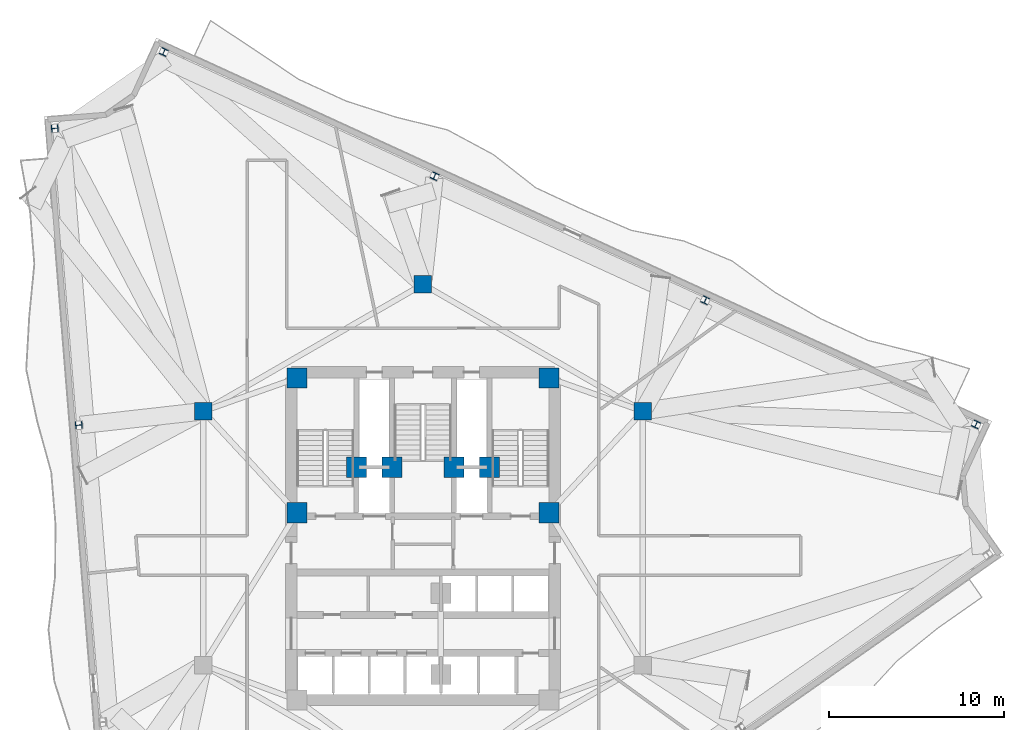
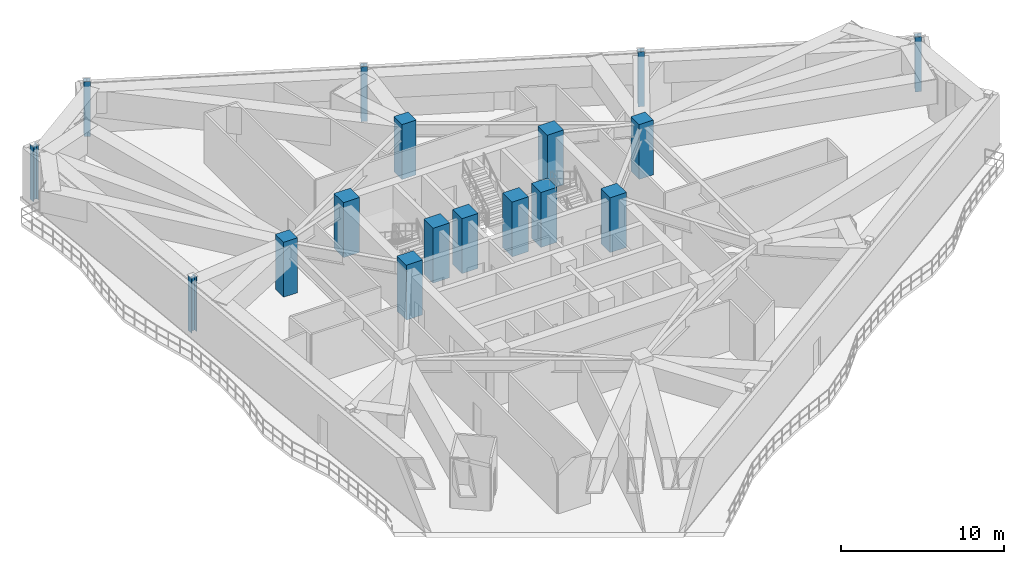
# One storey, part 2 of 14: 17 columns.
"""IFC4 building model written with IfcOpenShell, lengths in metres."""

import ifcopenshell
import ifcopenshell.guid

model = None  # the IFC model being written
_history = None  # IfcOwnerHistory: only IFC2X3 demands one
_inside = {}  # id of a spatial element -> (the spatial element, [elements in it])
_under = {}  # id of a project, library or spatial element -> (it, [spatial elements below it])
_declared = {}  # id of a project -> (the project, [libraries it declares])
_typed = {}  # id of a type object -> (the type object, [elements of that type])
_made_of = {}  # id of a material, layer set ... -> (it, [elements and type objects made of it])


def new_model(schema):
    """Start an empty IFC model of exactly this schema.

    Asked for "IFC4X3", IfcOpenShell would pick the latest addendum, in which some entities
    have other attributes; the version numbers below select the first issue.
    IFC2X3 requires an IfcOwnerHistory on every rooted entity: one is made here for all.
    """
    global model, _history
    if schema == "IFC4X3":
        model = ifcopenshell.file(schema_version=(4, 3, 0, 0))
    else:
        model = ifcopenshell.file(schema=schema)
    _inside.clear()
    _under.clear()
    _declared.clear()
    _typed.clear()
    _made_of.clear()
    _history = None
    if model.schema == "IFC2X3":
        org = make("IfcOrganization", Name="unknown")
        user = make(
            "IfcPersonAndOrganization",
            ThePerson=make("IfcPerson", FamilyName="unknown"),
            TheOrganization=org,
        )
        app = make(
            "IfcApplication",
            ApplicationDeveloper=org,
            Version="unknown",
            ApplicationFullName="unknown",
            ApplicationIdentifier="unknown",
        )
        _history = make(
            "IfcOwnerHistory",
            OwningUser=user,
            OwningApplication=app,
            ChangeAction="ADDED",
            CreationDate=0,
        )
    return model


def make(cls, **values):
    """One entity of the class cls with the attributes given. An attribute that is None is left unset."""
    return model.create_entity(
        cls, **{name: value for name, value in values.items() if value is not None}
    )


def rooted(cls, **values):
    """An entity with a GlobalId (a new one), such as an element, a storey or a relation."""
    return make(cls, GlobalId=ifcopenshell.guid.new(), OwnerHistory=_history, **values)


def si_unit(unit_type, name, prefix=None):
    """IfcSIUnit, for example si_unit("LENGTHUNIT", "METRE", prefix="MILLI")."""
    return make("IfcSIUnit", UnitType=unit_type, Prefix=prefix, Name=name)


def assignment(units):
    """IfcUnitAssignment: the units of a project."""
    return None if units is None else make("IfcUnitAssignment", Units=units)


def point(xyz):
    """IfcCartesianPoint."""
    return None if xyz is None else make("IfcCartesianPoint", Coordinates=xyz)


def direction(xyz):
    """IfcDirection."""
    return None if xyz is None else make("IfcDirection", DirectionRatios=xyz)


def frame(location, z_axis=None, x_axis=None):
    """IfcAxis2Placement3D, a coordinate frame: its origin and axes. An axis left out is left unset."""
    return make(
        "IfcAxis2Placement3D",
        Location=point(location),
        Axis=direction(z_axis),
        RefDirection=direction(x_axis),
    )


def frame_2d(location, x_axis=None):
    """IfcAxis2Placement2D, a coordinate frame in the plane: its origin and x axis."""
    return make(
        "IfcAxis2Placement2D", Location=point(location), RefDirection=direction(x_axis)
    )


def origin():
    """The frame at (0, 0, 0) with its axes left unset."""
    return frame((0.0, 0.0, 0.0))


def origin_2d():
    """The frame at (0, 0) in the plane with its x axis left unset."""
    return frame_2d((0.0, 0.0))


def place(relative_to, where):
    """IfcLocalPlacement: puts the frame where relative to a parent placement (None: the world)."""
    return make(
        "IfcLocalPlacement", PlacementRelTo=relative_to, RelativePlacement=where
    )


def context(
    kind, dimensions, precision=None, world=None, true_north=None, identifier=None
):
    """IfcGeometricRepresentationContext, for example the 3D "Model" context."""
    return make(
        "IfcGeometricRepresentationContext",
        ContextIdentifier=identifier,
        ContextType=kind,
        CoordinateSpaceDimension=dimensions,
        Precision=precision,
        WorldCoordinateSystem=world,
        TrueNorth=true_north,
    )


def subcontext(parent, identifier, kind, view, scale=None):
    """IfcGeometricRepresentationSubContext, for example "Body" below "Model"."""
    return make(
        "IfcGeometricRepresentationSubContext",
        ContextIdentifier=identifier,
        ContextType=kind,
        ParentContext=parent,
        TargetScale=scale,
        TargetView=view,
    )


def project(units=None, contexts=None):
    """IfcProject with its units and contexts."""
    return rooted(
        "IfcProject",
        Name="project",
        RepresentationContexts=contexts,
        UnitsInContext=assignment(units),
    )


def spatial(cls, under=None, at=None, **own):
    """A site, building, storey or space (cls), placed at a placement, below another one or the project."""
    s = rooted(cls, ObjectPlacement=at, **own)
    if under is not None:
        _under.setdefault(under.id(), (under, []))[1].append(s)
    return s


def profile(cls, at=None, kind="AREA", **sizes):
    """A parametric profile (cls). Its sizes go by their IFC names, for example OverallWidth=200.0."""
    return make(cls, ProfileType=kind, Position=at, **sizes)


def rectangle(**sizes):
    """IfcRectangleProfileDef."""
    return profile("IfcRectangleProfileDef", **sizes)


def i_section(**sizes):
    """IfcIShapeProfileDef."""
    return profile("IfcIShapeProfileDef", **sizes)


def extrude(swept, where, along, depth):
    """IfcExtrudedAreaSolid: the profile swept, set in the frame where, extruded along a direction by depth."""
    return make(
        "IfcExtrudedAreaSolid",
        SweptArea=swept,
        Position=where,
        ExtrudedDirection=direction(along),
        Depth=depth,
    )


def shape(context_of_items, identifier, shape_type, items):
    """IfcShapeRepresentation: the items that make up one representation, for example the "Body"."""
    return make(
        "IfcShapeRepresentation",
        ContextOfItems=context_of_items,
        RepresentationIdentifier=identifier,
        RepresentationType=shape_type,
        Items=items,
    )


def material(Name=None, Category=None):
    """IfcMaterial."""
    return make("IfcMaterial", Name=Name, Category=Category)


def material_profile(
    of_material, cross_section, Name=None, Category=None, Priority=None
):
    """IfcMaterialProfile: a cross section and its material."""
    return make(
        "IfcMaterialProfile",
        Name=Name,
        Material=of_material,
        Profile=cross_section,
        Priority=Priority,
        Category=Category,
    )


def profile_set(profiles, Name=None, composite=None):
    """IfcMaterialProfileSet."""
    return make(
        "IfcMaterialProfileSet",
        Name=Name,
        MaterialProfiles=profiles,
        CompositeProfile=composite,
    )


def made_of(thing, what):
    """Note that an element or type object is made of a material, layer set ...; save() writes the relation."""
    if what is not None:
        _made_of.setdefault(what.id(), (what, []))[1].append(thing)
    return thing


def type_object(cls, material=None, **own):
    """A type object (cls), such as IfcWallType, which elements share."""
    return made_of(rooted(cls, **own), material)


def element(
    cls,
    number,
    at=None,
    inside=None,
    cuts=None,
    type_object=None,
    material=None,
    context=None,
    identifier="Body",
    shape_type=None,
    held_by="IfcProductDefinitionShape",
    body=None,
    shapes=None,
    **own,
):
    """One element of the class cls, such as IfcWall. Its Tag is "e" and its number.

    at: its placement. inside: the storey or other place that contains it. cuts: it is an
    opening in that element (IfcRelVoidsElement). A single representation is given by context,
    identifier, shape_type and body (its items); several are given by shapes. held_by: the class
    of the entity that holds the representations. save() writes the other relations.
    """
    e = rooted(cls, Tag="e%d" % number, ObjectPlacement=at, **own)
    if body is not None:
        shapes = [shape(context, identifier, shape_type, body)]
    if shapes is not None:
        e.Representation = make(held_by, Representations=shapes)
    if inside is not None:
        _inside.setdefault(inside.id(), (inside, []))[1].append(e)
    if cuts is not None:
        rooted(
            "IfcRelVoidsElement", RelatingBuildingElement=cuts, RelatedOpeningElement=e
        )
    if type_object is not None:
        _typed.setdefault(type_object.id(), (type_object, []))[1].append(e)
    return made_of(e, material)


def aggregate(whole, parts):
    """IfcRelAggregates: a whole, such as a stair, and the parts it consists of."""
    return rooted("IfcRelAggregates", RelatingObject=whole, RelatedObjects=parts)


def save(model, path):
    """Write the relations noted so far, then the file.

    IfcRelAggregates (storeys below a building ...), IfcRelContainedInSpatialStructure (elements
    in a storey), IfcRelDefinesByType, IfcRelAssociatesMaterial and IfcRelDeclares: one each for
    every whole, place, type object, material and project.
    """
    for whole, parts in _under.values():
        aggregate(whole, parts)
    for where, things in _inside.values():
        rooted(
            "IfcRelContainedInSpatialStructure",
            RelatedElements=things,
            RelatingStructure=where,
        )
    for kind, things in _typed.values():
        rooted("IfcRelDefinesByType", RelatedObjects=things, RelatingType=kind)
    for what, things in _made_of.values():
        rooted("IfcRelAssociatesMaterial", RelatedObjects=things, RelatingMaterial=what)
    for by, libraries in _declared.values():
        rooted("IfcRelDeclares", RelatingContext=by, RelatedDefinitions=libraries)
    model.write(path)


model = new_model("IFC4")

# Units and contexts
model_context = context("Model", 3, precision=1e-05, world=origin(), true_north=direction((0.0, 1.0)))
body_context = subcontext(model_context, "Body", "Model", "MODEL_VIEW")
ifc_project = project(units=[si_unit("LENGTHUNIT", "METRE"), si_unit("AREAUNIT", "SQUARE_METRE"), si_unit("VOLUMEUNIT", "CUBIC_METRE"), si_unit("PLANEANGLEUNIT", "RADIAN"), si_unit("MASSUNIT", "GRAM", prefix="KILO")], contexts=[model_context])

# Site, building, storey
site_placement = place(None, origin())
site = spatial("IfcSite", under=ifc_project, at=site_placement, CompositionType="ELEMENT")
building_placement = place(site_placement, origin())
building = spatial("IfcBuilding", under=site, at=building_placement, Name="Apsidion Concourse Tower", CompositionType="ELEMENT")
storey_placement = place(building_placement, frame((0.0, 0.0, 222.89990234375)))
storey = spatial("IfcBuildingStorey", under=building, at=storey_placement, Name="L52", CompositionType="ELEMENT", Elevation=222.89990234375)

# Columns
ifc_material_1 = material(Name="Concrete C50/60", Category="concrete")
ifc_material_profile_1 = material_profile(ifc_material_1, rectangle(XDim=1.0, YDim=1.0, at=origin_2d()), Name="RC 1000x1000")
ifc_profile_set_1 = profile_set([ifc_material_profile_1], Name="Concrete C50/60")
column_type_1 = type_object("IfcColumnType", Name="COL-RC-1000", PredefinedType="COLUMN", material=ifc_profile_set_1)
for number, where, z_axis, x_axis, name in (
    (1, (12.56005859375, 7.25, 0.0), (0.0, 0.0, 1.0), (1.0, 0.0, 0.0), "L52 Interior Spine Column IC3"),
    (2, (0.0, 14.5, 0.0), (0.0, 0.0, 1.0), (1.0, 0.0, 0.0), "L52 Interior Spine Column IC4"),
    (3, (-12.56005859375, 7.25, 0.0), (0.0, 0.0, 1.0), (1.0, 0.0, 0.0), "L52 Interior Spine Column IC5"),
):
    element("IfcColumn", number, at=place(storey_placement, frame(where, z_axis=z_axis, x_axis=x_axis)), inside=storey, type_object=column_type_1, Name=name, PredefinedType="COLUMN", context=body_context, shape_type="SweptSolid", body=[
        extrude(rectangle(XDim=1.0, YDim=1.0, at=origin_2d()), origin(), (0.0, 0.0, 1.0), 4.10009765625),
    ])
ifc_material_profile_2 = material_profile(ifc_material_1, rectangle(XDim=1.14990234375, YDim=1.14990234375, at=origin_2d()), Name="RC 1150x1150")
ifc_profile_set_2 = profile_set([ifc_material_profile_2], Name="Concrete C50/60")
column_type_2 = type_object("IfcColumnType", Name="COL-RC-1150", PredefinedType="COLUMN", material=ifc_profile_set_2)
for number, where, z_axis, x_axis, name in (
    (4, (7.199951171875, 1.449951171875, 0.0), (0.0, 0.0, 1.0), (1.0, 0.0, 0.0), "L52 Core Super-Column SC3"),
    (5, (7.199951171875, 9.14990234375, 0.0), (0.0, 0.0, 1.0), (1.0, 0.0, 0.0), "L52 Core Super-Column SC4"),
    (6, (-7.199951171875, 9.14990234375, 0.0), (0.0, 0.0, 1.0), (1.0, 0.0, 0.0), "L52 Core Super-Column SC5"),
    (7, (-7.199951171875, 1.449951171875, 0.0), (0.0, 0.0, 1.0), (1.0, 0.0, 0.0), "L52 Core Super-Column SC6"),
    (8, (-3.800048828125, 4.050048828125, 0.0), (0.0, 0.0, 1.0), (1.0, 0.0, 0.0), "L52 Core Super-Column CC1"),
    (9, (3.800048828125, 4.050048828125, 0.0), (0.0, 0.0, 1.0), (1.0, 0.0, 0.0), "L52 Core Super-Column CC2"),
    (10, (-1.77490234375, 4.050048828125, 0.0), (0.0, 0.0, 1.0), (1.0, 0.0, 0.0), "L52 Core Super-Column CC3"),
    (11, (1.77490234375, 4.050048828125, 0.0), (0.0, 0.0, 1.0), (1.0, 0.0, 0.0), "L52 Core Super-Column CC4"),
):
    element("IfcColumn", number, at=place(storey_placement, frame(where, z_axis=z_axis, x_axis=x_axis)), inside=storey, type_object=column_type_2, Name=name, PredefinedType="COLUMN", context=body_context, shape_type="SweptSolid", body=[
        extrude(rectangle(XDim=1.14990234375, YDim=1.14990234375, at=origin_2d()), origin(), (0.0, 0.0, 1.0), 4.10009765625),
    ])
ifc_material_2 = material(Name="Structural steel ASTM A992 Grade 50", Category="steel")
ifc_material_profile_3 = material_profile(ifc_material_2, i_section(OverallWidth=0.39892578125, OverallDepth=0.385986328125, WebThickness=0.02099609375, FlangeThickness=0.033203125, at=origin_2d()), Name="W14X176")
ifc_profile_set_3 = profile_set([ifc_material_profile_3], Name="Structural steel ASTM A992 Grade 50")
column_type_3 = type_object("IfcColumnType", Name="COL-W14-176", PredefinedType="COLUMN", material=ifc_profile_set_3)
for number, where, z_axis, x_axis, name in (
    (12, (-21.03759765625, 23.412841796875, 0.0), (0.0, 0.0, 1.0), (-0.080720825512, 0.996736749763, 0.0), "L52 Rotated Perimeter Column PC01"),
    (13, (-19.66357421875, 6.451171875, 0.0), (0.0, 0.0, 1.0), (-0.080720825512, 0.996736749763, 0.0), "L52 Rotated Perimeter Column PC02"),
    (14, (31.600830078125, 6.499267578125, 0.0), (0.0, 0.0, 1.0), (-0.909018020308, 0.416756810089, 0.0), "L52 Rotated Perimeter Column PC09"),
    (15, (16.132080078125, 13.591796875, 0.0), (0.0, 0.0, 1.0), (-0.909018020308, 0.416756810089, 0.0), "L52 Rotated Perimeter Column PC10"),
    (16, (0.663330078125, 20.68408203125, 0.0), (0.0, 0.0, 1.0), (-0.909018020308, 0.416756810089, 0.0), "L52 Rotated Perimeter Column PC11"),
    (17, (-14.805419921875, 27.776611328125, 0.0), (0.0, 0.0, 1.0), (-0.909018020308, 0.416756810089, 0.0), "L52 Rotated Perimeter Column PC12"),
):
    element("IfcColumn", number, at=place(storey_placement, frame(where, z_axis=z_axis, x_axis=x_axis)), inside=storey, type_object=column_type_3, Name=name, PredefinedType="COLUMN", context=body_context, shape_type="SweptSolid", body=[
        extrude(i_section(OverallWidth=0.39892578125, OverallDepth=0.385986328125, WebThickness=0.02099609375, FlangeThickness=0.033203125, at=origin_2d()), origin(), (0.0, 0.0, 1.0), 4.10009765625),
    ])

save(model, "model.ifc")
